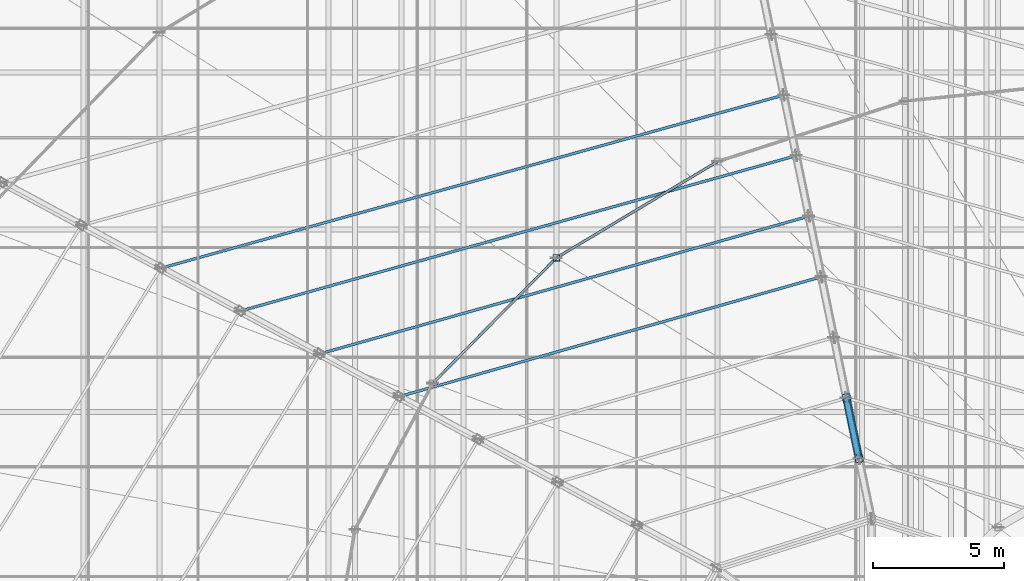
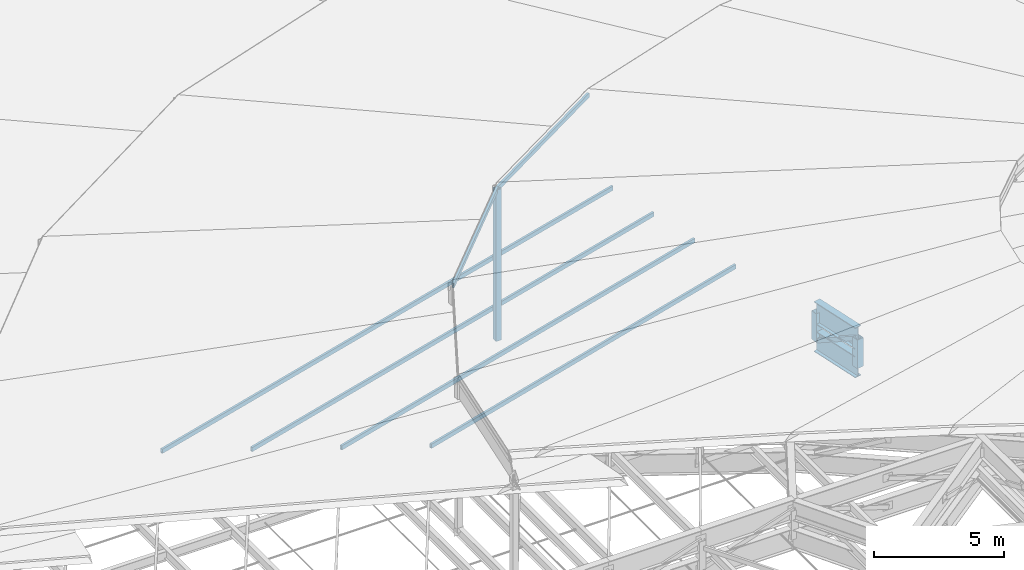
# One storey, part 106 of 184: 10 members, 2 beams.
"""IFC4 building model written with IfcOpenShell, lengths in metres."""

from ifc_helpers import new_model, si_unit, direction, frame, origin, origin_2d, place, context, subcontext, project, spatial, hollow_rectangle, i_section, extrude, material, material_profile, profile_set, type_object, element, save


model = new_model("IFC4")

# Units and contexts
model_context = context("Model", 3, precision=1e-05, world=origin(), true_north=direction((0.0, 1.0)))
body_context = subcontext(model_context, "Body", "Model", "MODEL_VIEW")
ifc_project = project(units=[si_unit("LENGTHUNIT", "METRE"), si_unit("AREAUNIT", "SQUARE_METRE"), si_unit("VOLUMEUNIT", "CUBIC_METRE"), si_unit("PLANEANGLEUNIT", "RADIAN"), si_unit("MASSUNIT", "GRAM", prefix="KILO")], contexts=[model_context])

# Site, building, storey
site_placement = place(None, origin())
site = spatial("IfcSite", under=ifc_project, at=site_placement, CompositionType="ELEMENT")
building_placement = place(site_placement, origin())
building = spatial("IfcBuilding", under=site, at=building_placement, Name="Kalgoora Escarpment Arena", CompositionType="ELEMENT")
storey_placement = place(building_placement, frame((0.0, 0.0, 27.60009765625)))
storey = spatial("IfcBuildingStorey", under=building, at=storey_placement, Name="Roof Level", CompositionType="ELEMENT", Elevation=27.60009765625)

# Beams
ifc_material_1 = material(Name="Structural steel Grade 350 (350 MPa)", Category="steel")
ifc_material_profile_1 = material_profile(ifc_material_1, i_section(OverallWidth=0.300048828125, OverallDepth=1.010009765625, WebThickness=0.01611328125, FlangeThickness=0.030029296875, at=origin_2d()))
ifc_profile_set_1 = profile_set([ifc_material_profile_1], Name="Structural steel Grade 350 (350 MPa)")
beam_type = type_object("IfcBeamType", Name="BM-TRUSS-CHORD", PredefinedType="USERDEFINED", material=ifc_profile_set_1)
for number, where, z_axis, x_axis, name in (
    (1, (96.237548828125, 75.0517578125, -1.610107421875), (0.202605139089, -0.979258172266, 0.002142350413), (0.979260419507, 0.202605604036, 0.0), "Radial ROOF TRUSS spine 3 bottom chord 10"),
    (2, (96.237548828125, 75.0517578125, -0.27001953125), (0.202603831774, -0.979251853575, 0.004182657151), (0.979260419507, 0.202605604036, 0.0), "Radial ROOF TRUSS spine 3 top chord 10"),
):
    element("IfcBeam", number, at=place(storey_placement, frame(where, z_axis=z_axis, x_axis=x_axis)), inside=storey, type_object=beam_type, Name=name, ObjectType="GIRDER", PredefinedType="USERDEFINED", context=body_context, shape_type="SweptSolid", body=[
        extrude(i_section(OverallWidth=0.300048828125, OverallDepth=1.010009765625, WebThickness=0.01611328125, FlangeThickness=0.030029296875, at=origin_2d()), origin(), (0.0, 0.0, 1.0), 2.39306640625),
    ])

# Members
ifc_material_2 = material(Name="Structural steel C450 (450 MPa)", Category="steel")
ifc_material_profile_2 = material_profile(ifc_material_2, hollow_rectangle(XDim=0.25, YDim=0.25, WallThickness=0.012451171875, at=origin_2d()))
ifc_profile_set_2 = profile_set([ifc_material_profile_2], Name="Structural steel C450 (450 MPa)")
member_type_1 = type_object("IfcMemberType", Name="MEM-PETAL-POST", PredefinedType="POST", material=ifc_profile_set_2)
member_1_placement = place(storey_placement, frame((85.128173828125, 80.40478515625, -0.960205078125), z_axis=(0.0, 0.0, 1.0), x_axis=(1.0, 0.0, 0.0)))
element("IfcMember", 3, at=member_1_placement, inside=storey, type_object=member_type_1, Name="Petal RP4 vertical support post S10", PredefinedType="POST", context=body_context, shape_type="SweptSolid", body=[
    extrude(hollow_rectangle(XDim=0.25, YDim=0.25, WallThickness=0.012451171875, at=origin_2d()), origin(), (0.0, 0.0, 1.0), 7.105224609375),
])
ifc_material_3 = material(Name="Structural steel C350 (350 MPa)", Category="steel")
ifc_material_profile_3 = material_profile(ifc_material_3, hollow_rectangle(XDim=0.10009765625, YDim=0.199951171875, WallThickness=0.009033203125, at=origin_2d()))
ifc_profile_set_3 = profile_set([ifc_material_profile_3], Name="Structural steel C350 (350 MPa)")
member_type_2 = type_object("IfcMemberType", Name="MEM-PURLIN-RHS", PredefinedType="PURLIN", material=ifc_profile_set_3)
member_2_placement = place(storey_placement, frame((93.840087890625, 86.639892578125, -0.670166015625), z_axis=(-0.963477218011, -0.267790310456, 0.0), x_axis=(0.267790310456, -0.963477218011, 0.0)))
element("IfcMember", 4, at=member_2_placement, inside=storey, type_object=member_type_2, Name="Roof circumferential purlin ring 4 sector 3", PredefinedType="PURLIN", context=body_context, shape_type="SweptSolid", body=[
    extrude(hollow_rectangle(XDim=0.10009765625, YDim=0.199951171875, WallThickness=0.009033203125, at=origin_2d()), origin(), (0.0, 0.0, 1.0), 24.76220703125),
])
member_3_placement = place(storey_placement, frame((94.320068359375, 84.320068359375, -0.66015625), z_axis=(-0.963102515749, -0.269134806664, 0.0), x_axis=(0.269134806664, -0.963102515749, 0.0)))
element("IfcMember", 5, at=member_3_placement, inside=storey, type_object=member_type_2, Name="Roof circumferential purlin ring 5 sector 3", PredefinedType="PURLIN", context=body_context, shape_type="SweptSolid", body=[
    extrude(hollow_rectangle(XDim=0.10009765625, YDim=0.199951171875, WallThickness=0.009033203125, at=origin_2d()), origin(), (0.0, 0.0, 1.0), 22.114013671875),
])
member_4_placement = place(storey_placement, frame((94.800048828125, 82.0, -0.650146484375), z_axis=(-0.962623149743, -0.270844367817, 0.0), x_axis=(0.270844367817, -0.962623149743, 0.0)))
element("IfcMember", 6, at=member_4_placement, inside=storey, type_object=member_type_2, Name="Roof circumferential purlin ring 6 sector 3", PredefinedType="PURLIN", context=body_context, shape_type="SweptSolid", body=[
    extrude(hollow_rectangle(XDim=0.10009765625, YDim=0.199951171875, WallThickness=0.009033203125, at=origin_2d()), origin(), (0.0, 0.0, 1.0), 19.4658203125),
])
member_5_placement = place(storey_placement, frame((95.280029296875, 79.679931640625, -0.64013671875), z_axis=(-0.961993097534, -0.273073763471, 0.0), x_axis=(0.273073763471, -0.961993097534, 0.0)))
element("IfcMember", 7, at=member_5_placement, inside=storey, type_object=member_type_2, Name="Roof circumferential purlin ring 7 sector 3", PredefinedType="PURLIN", context=body_context, shape_type="SweptSolid", body=[
    extrude(hollow_rectangle(XDim=0.10009765625, YDim=0.199951171875, WallThickness=0.009033203125, at=origin_2d()), origin(), (0.0, 0.0, 1.0), 16.81787109375),
])
member_6_placement = place(storey_placement, frame((91.300048828125, 84.091796875, 6.125), z_axis=(-0.858480144362, -0.51284680143, 0.0), x_axis=(0.51284680143, -0.858480144362, 0.0)))
element("IfcMember", 8, at=member_6_placement, inside=storey, type_object=member_type_2, Name="Petal RP4 eave support ring purlin S09", PredefinedType="PURLIN", context=body_context, shape_type="SweptSolid", body=[
    extrude(hollow_rectangle(XDim=0.10009765625, YDim=0.199951171875, WallThickness=0.009033203125, at=origin_2d()), origin(), (0.0, 0.0, 1.0), 7.189208984375),
])
member_7_placement = place(storey_placement, frame((85.128173828125, 80.40478515625, 6.125), z_axis=(-0.701985782774, -0.712190958088, 0.0), x_axis=(0.712190958088, -0.701985782774, 0.0)))
element("IfcMember", 9, at=member_7_placement, inside=storey, type_object=member_type_2, Name="Petal RP4 eave support ring purlin S10", PredefinedType="PURLIN", context=body_context, shape_type="SweptSolid", body=[
    extrude(hollow_rectangle(XDim=0.10009765625, YDim=0.199951171875, WallThickness=0.009033203125, at=origin_2d()), origin(), (0.0, 0.0, 1.0), 6.746337890625),
])
ifc_material_4 = material(Name="Structural steel C350 (350 MPa)", Category="steel")
ifc_material_profile_4 = material_profile(ifc_material_4, hollow_rectangle(XDim=0.199951171875, YDim=0.199951171875, WallThickness=0.009033203125, at=origin_2d()))
ifc_profile_set_4 = profile_set([ifc_material_profile_4], Name="Structural steel C350 (350 MPa)")
member_type_3 = type_object("IfcMemberType", Name="MEM-TRUSS-DIAG", PredefinedType="BRACE", material=ifc_profile_set_4)
member_8_placement = place(storey_placement, frame((96.239990234375, 75.0400390625, -1.610107421875), z_axis=(0.176018332047, -0.850814959026, 0.49510751588), x_axis=(0.237783723837, -0.451317345483, -0.860099735115)))
element("IfcMember", 10, at=member_8_placement, inside=storey, type_object=member_type_3, Name="Radial ROOF TRUSS spine 3 web diagonal 10", PredefinedType="BRACE", context=body_context, shape_type="SweptSolid", body=[
    extrude(hollow_rectangle(XDim=0.199951171875, YDim=0.199951171875, WallThickness=0.009033203125, at=origin_2d()), origin(), (0.0, 0.0, 1.0), 2.726806640625),
])
ifc_material_5 = material(Name="Structural steel C450 (450 MPa)", Category="steel")
ifc_material_profile_5 = material_profile(ifc_material_5, hollow_rectangle(XDim=0.300048828125, YDim=0.300048828125, WallThickness=0.012451171875, at=origin_2d()))
ifc_profile_set_5 = profile_set([ifc_material_profile_5], Name="Structural steel C450 (450 MPa)")
member_type_4 = type_object("IfcMemberType", Name="MEM-TRUSS-POST", PredefinedType="POST", material=ifc_profile_set_5)
member_9_placement = place(storey_placement, frame((96.239990234375, 75.0400390625, -1.610107421875), z_axis=(0.0, 0.0, 1.0), x_axis=(0.141419587774, -0.989949746297, 0.0)))
element("IfcMember", 11, at=member_9_placement, inside=storey, type_object=member_type_4, Name="Radial ROOF TRUSS spine 3 post 9", PredefinedType="POST", context=body_context, shape_type="SweptSolid", body=[
    extrude(hollow_rectangle(XDim=0.300048828125, YDim=0.300048828125, WallThickness=0.012451171875, at=origin_2d()), origin(), (0.0, 0.0, 1.0), 1.340087890625),
])
member_10_placement = place(storey_placement, frame((96.719970703125, 72.719970703125, -1.60498046875), z_axis=(0.0, 0.0, 1.0), x_axis=(0.141419587774, -0.989949746297, 0.0)))
element("IfcMember", 12, at=member_10_placement, inside=storey, type_object=member_type_4, Name="Radial ROOF TRUSS spine 3 post 10", PredefinedType="POST", context=body_context, shape_type="SweptSolid", body=[
    extrude(hollow_rectangle(XDim=0.300048828125, YDim=0.300048828125, WallThickness=0.012451171875, at=origin_2d()), origin(), (0.0, 0.0, 1.0), 1.344970703125),
])

save(model, "model.ifc")
